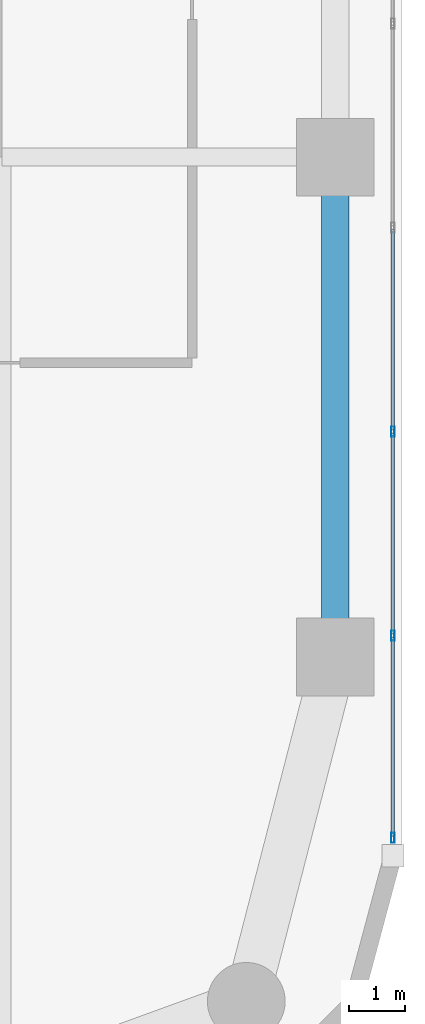
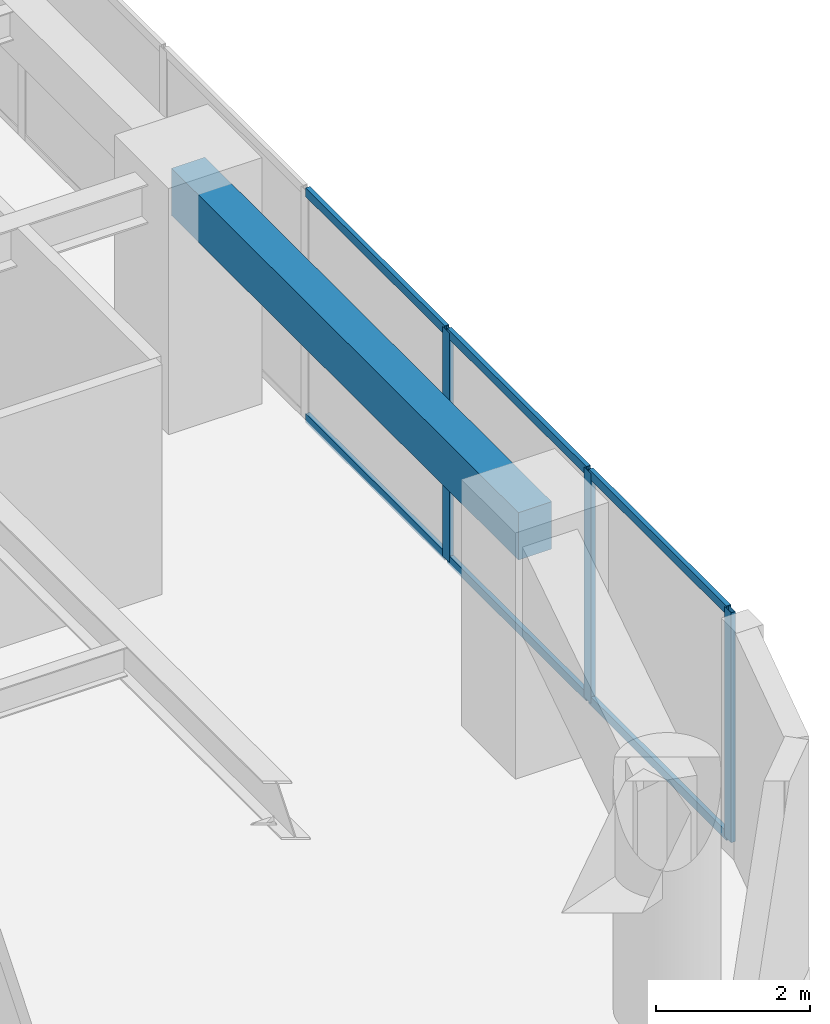
# One storey, part 4 of 24: 9 members, 1 beam, 1 element without a shape of its own.
"""IFC4 building model written with IfcOpenShell, lengths in metres."""

from ifc_helpers import new_model, si_unit, direction, frame, origin, origin_2d, place, context, subcontext, project, spatial, rectangle, hollow_rectangle, extrude, material, layer, layer_set, material_profile, profile_set, type_object, element, aggregate, save


model = new_model("IFC4")

# Units and contexts
model_context = context("Model", 3, precision=1e-05, world=origin(), true_north=direction((0.0, 1.0)))
body_context = subcontext(model_context, "Body", "Model", "MODEL_VIEW")
ifc_project = project(units=[si_unit("LENGTHUNIT", "METRE"), si_unit("AREAUNIT", "SQUARE_METRE"), si_unit("VOLUMEUNIT", "CUBIC_METRE"), si_unit("PLANEANGLEUNIT", "RADIAN"), si_unit("MASSUNIT", "GRAM", prefix="KILO")], contexts=[model_context])

# Site, building, storey
site_placement = place(None, origin())
site = spatial("IfcSite", under=ifc_project, at=site_placement, CompositionType="ELEMENT")
building_placement = place(site_placement, origin())
building = spatial("IfcBuilding", under=site, at=building_placement, Name="Kiyonajd Concourse Tower", CompositionType="ELEMENT")
storey_placement = place(building_placement, frame((0.0, 0.0, 97.5)))
storey = spatial("IfcBuildingStorey", under=building, at=storey_placement, Name="L25", CompositionType="ELEMENT", Elevation=97.5)

# Beam
ifc_material_1 = material(Name="Precast concrete C50/60", Category="concrete")
ifc_material_profile_1 = material_profile(ifc_material_1, rectangle(XDim=0.5, YDim=0.75, at=origin_2d()), Name="RCBM-500x750")
ifc_profile_set_1 = profile_set([ifc_material_profile_1], Name="Precast concrete C50/60")
beam_type = type_object("IfcBeamType", Name="BM-SPAN-RC", PredefinedType="SPANDREL", material=ifc_profile_set_1)
beam_placement = place(storey_placement, frame((69.60009765625, 18.60009765625, 3.264892578125), z_axis=(0.0, 1.0, 0.0), x_axis=(-1.0, 0.0, 0.0)))
element("IfcBeam", 1, at=beam_placement, inside=storey, type_object=beam_type, Name="L25 Perimeter Bundled Tube Spandrel", PredefinedType="SPANDREL", context=body_context, shape_type="SweptSolid", body=[
    extrude(rectangle(XDim=0.5, YDim=0.75, at=origin_2d()), origin(), (0.0, 0.0, 1.0), 9.0),
])

# Curtain wall, members
ifc_material_2 = material(Name="Thermally Broken Anodised Aluminium", Category="aluminium")
ifc_layer = layer(ifc_material_2, 0.179931640625)
ifc_layer_set = layer_set([ifc_layer], Name="Thermally Broken Anodised Aluminium")
curtain_wall_type = type_object("IfcCurtainWallType", Name="CW-SYS-03", PredefinedType="NOTDEFINED", material=ifc_layer_set)
curtain_wall_placement = place(storey_placement, origin())
curtain_wall = element("IfcCurtainWall", 2, at=curtain_wall_placement, inside=storey, type_object=curtain_wall_type, Name="L25 Unitised Curtain Wall CW3", PredefinedType="NOTDEFINED")
ifc_material_profile_2 = material_profile(ifc_material_2, hollow_rectangle(XDim=0.06494140625, YDim=0.179931640625, WallThickness=0.00390625, at=origin_2d()), Name="MULL-65x180")
ifc_profile_set_2 = profile_set([ifc_material_profile_2], Name="Thermally Broken Anodised Aluminium")
member_type_1 = type_object("IfcMemberType", Name="MB-CW-MULL1", PredefinedType="MULLION", material=ifc_profile_set_2)
member_1_placement = place(storey_placement, frame((70.639892578125, 22.657470703125, 0.0), z_axis=(0.0, 0.0, 1.0), x_axis=(1.0, 0.0, 0.0)))
member_1 = element("IfcMember", 3, at=member_1_placement, type_object=member_type_1, Name="CW3 mullion 5", PredefinedType="MULLION", context=body_context, shape_type="SweptSolid", body=[
    extrude(hollow_rectangle(XDim=0.06494140625, YDim=0.179931640625, WallThickness=0.00390625, at=origin_2d()), origin(), (0.0, 0.0, 1.0), 3.639892578125),
])
member_2_placement = place(storey_placement, frame((70.639892578125, 18.984130859375, 0.0), z_axis=(0.0, 0.0, 1.0), x_axis=(1.0, 0.0, 0.0)))
member_2 = element("IfcMember", 4, at=member_2_placement, type_object=member_type_1, Name="CW3 mullion 6", PredefinedType="MULLION", context=body_context, shape_type="SweptSolid", body=[
    extrude(hollow_rectangle(XDim=0.06494140625, YDim=0.179931640625, WallThickness=0.00390625, at=origin_2d()), origin(), (0.0, 0.0, 1.0), 3.639892578125),
])
member_3_placement = place(storey_placement, frame((70.639892578125, 15.343505859375, 0.0), z_axis=(0.0, 0.0, 1.0), x_axis=(1.0, 0.0, 0.0)))
member_3 = element("IfcMember", 5, at=member_3_placement, type_object=member_type_1, Name="CW3 mullion 7", PredefinedType="MULLION", context=body_context, shape_type="SweptSolid", body=[
    extrude(hollow_rectangle(XDim=0.06494140625, YDim=0.179931640625, WallThickness=0.00390625, at=origin_2d()), origin(), (0.0, 0.0, 1.0), 3.639892578125),
])
ifc_material_profile_3 = material_profile(ifc_material_2, hollow_rectangle(XDim=0.06494140625, YDim=0.139892578125, WallThickness=0.00390625, at=origin_2d()), Name="TRAN-65x140")
ifc_profile_set_3 = profile_set([ifc_material_profile_3], Name="Thermally Broken Anodised Aluminium")
member_type_2 = type_object("IfcMemberType", Name="MB-CW-TRAN1", PredefinedType="USERDEFINED", material=ifc_profile_set_3)
member_4_placement = place(storey_placement, frame((70.639892578125, 26.298095703125, 0.032470703125), z_axis=(0.0, -1.0, 0.0), x_axis=(1.0, 0.0, 0.0)))
member_4 = element("IfcMember", 6, at=member_4_placement, type_object=member_type_2, Name="CW3 transom 4.1", ObjectType="TRANSOM", PredefinedType="USERDEFINED", context=body_context, shape_type="SweptSolid", body=[
    extrude(hollow_rectangle(XDim=0.06494140625, YDim=0.139892578125, WallThickness=0.00390625, at=origin_2d()), origin(), (0.0, 0.0, 1.0), 3.608154296875),
])
member_5_placement = place(storey_placement, frame((70.639892578125, 26.298095703125, 3.607421875), z_axis=(0.0, -1.0, 0.0), x_axis=(1.0, 0.0, 0.0)))
member_5 = element("IfcMember", 7, at=member_5_placement, type_object=member_type_2, Name="CW3 transom 4.2", ObjectType="TRANSOM", PredefinedType="USERDEFINED", context=body_context, shape_type="SweptSolid", body=[
    extrude(hollow_rectangle(XDim=0.06494140625, YDim=0.139892578125, WallThickness=0.00390625, at=origin_2d()), origin(), (0.0, 0.0, 1.0), 3.608154296875),
])
member_6_placement = place(storey_placement, frame((70.639892578125, 22.625, 0.032470703125), z_axis=(0.0, -1.0, 0.0), x_axis=(1.0, 0.0, 0.0)))
member_6 = element("IfcMember", 8, at=member_6_placement, type_object=member_type_2, Name="CW3 transom 5.1", ObjectType="TRANSOM", PredefinedType="USERDEFINED", context=body_context, shape_type="SweptSolid", body=[
    extrude(hollow_rectangle(XDim=0.06494140625, YDim=0.139892578125, WallThickness=0.00390625, at=origin_2d()), origin(), (0.0, 0.0, 1.0), 3.608154296875),
])
member_7_placement = place(storey_placement, frame((70.639892578125, 22.625, 3.607421875), z_axis=(0.0, -1.0, 0.0), x_axis=(1.0, 0.0, 0.0)))
member_7 = element("IfcMember", 9, at=member_7_placement, type_object=member_type_2, Name="CW3 transom 5.2", ObjectType="TRANSOM", PredefinedType="USERDEFINED", context=body_context, shape_type="SweptSolid", body=[
    extrude(hollow_rectangle(XDim=0.06494140625, YDim=0.139892578125, WallThickness=0.00390625, at=origin_2d()), origin(), (0.0, 0.0, 1.0), 3.608154296875),
])
member_8_placement = place(storey_placement, frame((70.639892578125, 18.95166015625, 0.032470703125), z_axis=(0.0, -1.0, 0.0), x_axis=(1.0, 0.0, 0.0)))
member_8 = element("IfcMember", 10, at=member_8_placement, type_object=member_type_2, Name="CW3 transom 6.1", ObjectType="TRANSOM", PredefinedType="USERDEFINED", context=body_context, shape_type="SweptSolid", body=[
    extrude(hollow_rectangle(XDim=0.06494140625, YDim=0.139892578125, WallThickness=0.00390625, at=origin_2d()), origin(), (0.0, 0.0, 1.0), 3.575439453125),
])
member_9_placement = place(storey_placement, frame((70.639892578125, 18.95166015625, 3.607421875), z_axis=(0.0, -1.0, 0.0), x_axis=(1.0, 0.0, 0.0)))
member_9 = element("IfcMember", 11, at=member_9_placement, type_object=member_type_2, Name="CW3 transom 6.2", ObjectType="TRANSOM", PredefinedType="USERDEFINED", context=body_context, shape_type="SweptSolid", body=[
    extrude(hollow_rectangle(XDim=0.06494140625, YDim=0.139892578125, WallThickness=0.00390625, at=origin_2d()), origin(), (0.0, 0.0, 1.0), 3.575439453125),
])
aggregate(curtain_wall, [member_1, member_2, member_3, member_4, member_5, member_6, member_7, member_8, member_9])

save(model, "model.ifc")
